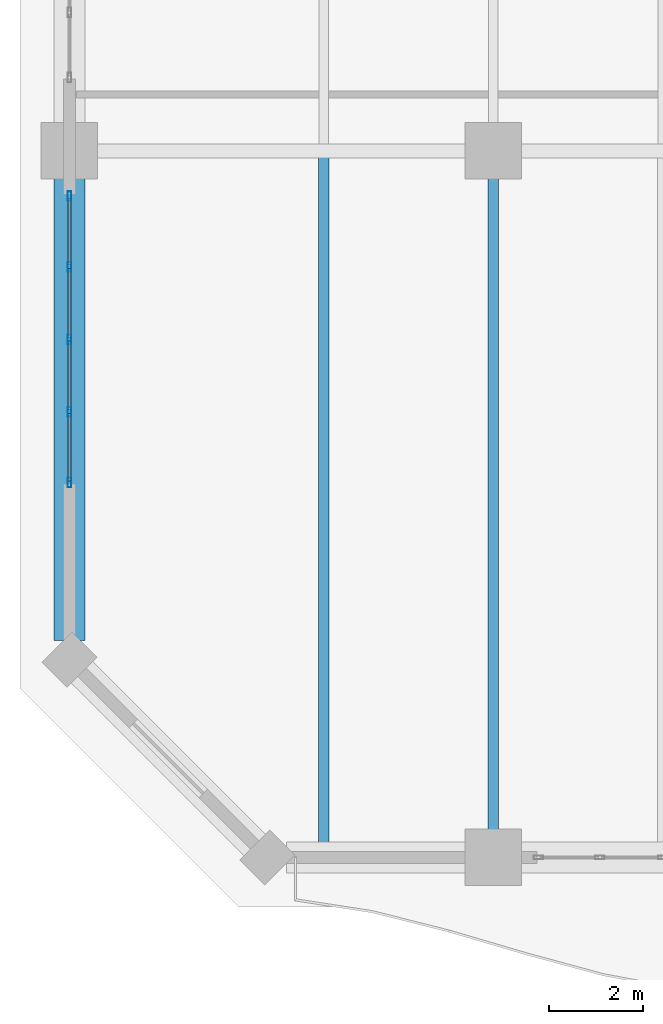
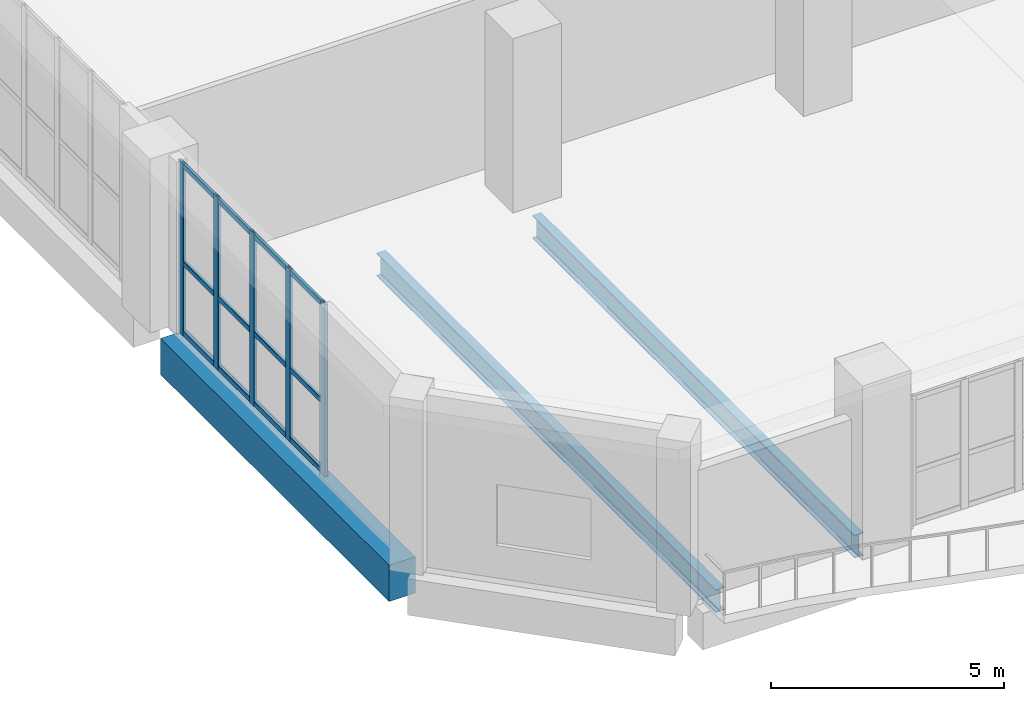
# One storey, part 3 of 37: 17 members, 3 beams, 1 element without a shape of its own.
"""IFC4 building model written with IfcOpenShell, lengths in metres."""

from ifc_helpers import new_model, si_unit, direction, frame, origin, origin_2d, place, context, subcontext, project, spatial, rectangle, hollow_rectangle, i_section, extrude, material, layer, layer_set, material_profile, profile_set, type_object, element, aggregate, save


model = new_model("IFC4")

# Units and contexts
model_context = context("Model", 3, precision=1e-05, world=origin(), true_north=direction((0.0, 1.0)))
body_context = subcontext(model_context, "Body", "Model", "MODEL_VIEW")
ifc_project = project(units=[si_unit("LENGTHUNIT", "METRE"), si_unit("AREAUNIT", "SQUARE_METRE"), si_unit("VOLUMEUNIT", "CUBIC_METRE"), si_unit("PLANEANGLEUNIT", "RADIAN"), si_unit("MASSUNIT", "GRAM", prefix="KILO")], contexts=[model_context])

# Site, building, storey
site_placement = place(None, origin())
site = spatial("IfcSite", under=ifc_project, at=site_placement, CompositionType="ELEMENT")
building_placement = place(site_placement, origin())
building = spatial("IfcBuilding", under=site, at=building_placement, Name="Kaelvorn Grand Hotel", CompositionType="ELEMENT")
storey_placement = place(building_placement, frame((0.0, 0.0, 130.550048828125)))
storey = spatial("IfcBuildingStorey", under=building, at=storey_placement, Name="L31", CompositionType="ELEMENT", Elevation=130.550048828125)

# Beams
ifc_material_1 = material(Name="Steel S355", Category="steel")
ifc_material_profile_1 = material_profile(ifc_material_1, i_section(OverallWidth=0.219970703125, OverallDepth=0.60009765625, WebThickness=0.011962890625, FlangeThickness=0.01904296875, FilletRadius=0.02392578125, at=origin_2d()), Name="IPE 600")
ifc_profile_set_1 = profile_set([ifc_material_profile_1], Name="Steel S355")
beam_type_1 = type_object("IfcBeamType", Name="BM-J-IPE600-S355", PredefinedType="JOIST", material=ifc_profile_set_1)
beam_1_placement = place(storey_placement, frame((5.39990234375, 0.31005859375, -0.5400390625), z_axis=(0.0, 1.0, 0.0), x_axis=(-1.0, 0.0, 0.0)))
element("IfcBeam", 1, at=beam_1_placement, inside=storey, type_object=beam_type_1, Name="L31 Composite Floor Joist JS-02", PredefinedType="JOIST", context=body_context, shape_type="SweptSolid", body=[
    extrude(i_section(OverallWidth=0.219970703125, OverallDepth=0.60009765625, WebThickness=0.011962890625, FlangeThickness=0.01904296875, FilletRadius=0.02392578125, at=origin_2d()), origin(), (0.0, 0.0, 1.0), 14.558837890625),
])
beam_2_placement = place(storey_placement, frame((9.0, 0.5849609375, -0.5400390625), z_axis=(0.0, 1.0, 0.0), x_axis=(-1.0, 0.0, 0.0)))
element("IfcBeam", 2, at=beam_2_placement, inside=storey, type_object=beam_type_1, Name="L31 Composite Floor Joist JS-03", PredefinedType="JOIST", context=body_context, shape_type="SweptSolid", body=[
    extrude(i_section(OverallWidth=0.219970703125, OverallDepth=0.60009765625, WebThickness=0.011962890625, FlangeThickness=0.01904296875, FilletRadius=0.02392578125, at=origin_2d()), origin(), (0.0, 0.0, 1.0), 13.830078125),
])
ifc_material_2 = material(Name="Concrete C60/75", Category="concrete")
ifc_material_profile_2 = material_profile(ifc_material_2, rectangle(XDim=0.64990234375, YDim=0.949951171875, at=origin_2d()), Name="RC SPANDREL 650x950")
ifc_profile_set_2 = profile_set([ifc_material_profile_2], Name="Concrete C60/75")
beam_type_2 = type_object("IfcBeamType", Name="BM-SP-650x950-C60", PredefinedType="SPANDREL", material=ifc_profile_set_2)
beam_3_placement = place(storey_placement, frame((0.0, 4.60498046875, -0.715087890625), z_axis=(0.0, 1.0, 0.0), x_axis=(-1.0, 0.0, 0.0)))
element("IfcBeam", 3, at=beam_3_placement, inside=storey, type_object=beam_type_2, Name="L31 West Perimeter Spandrel 01", PredefinedType="SPANDREL", context=body_context, shape_type="SweptSolid", body=[
    extrude(rectangle(XDim=0.64990234375, YDim=0.949951171875, at=origin_2d()), origin(), (0.0, 0.0, 1.0), 9.81005859375),
])

# Curtain wall, members
ifc_material_3 = material(Name="Anodised Aluminium", Category="aluminium")
ifc_layer = layer(ifc_material_3, 0.199951171875)
ifc_layer_set = layer_set([ifc_layer], Name="Anodised Aluminium")
curtain_wall_type = type_object("IfcCurtainWallType", Name="CW-SYS3", PredefinedType="NOTDEFINED", material=ifc_layer_set)
curtain_wall_placement = place(storey_placement, origin())
curtain_wall = element("IfcCurtainWall", 4, at=curtain_wall_placement, inside=storey, type_object=curtain_wall_type, Name="L31 Unitised Curtain Wall CW3 (CW-L31-W-01)", PredefinedType="NOTDEFINED")
ifc_material_profile_3 = material_profile(ifc_material_3, hollow_rectangle(XDim=0.074951171875, YDim=0.199951171875, WallThickness=0.00390625, InnerFilletRadius=0.00390625, OuterFilletRadius=0.008056640625, at=origin_2d()), Name="ALU MULL 75x200")
ifc_profile_set_3 = profile_set([ifc_material_profile_3], Name="Anodised Aluminium")
member_type_1 = type_object("IfcMemberType", Name="CW-SYS3-MULL", PredefinedType="MULLION", material=ifc_profile_set_3)
member_1_placement = place(storey_placement, frame((0.0, 14.04248046875, 0.0), z_axis=(0.0, 0.0, 1.0), x_axis=(1.0, 0.0, 0.0)))
member_1 = element("IfcMember", 5, at=member_1_placement, type_object=member_type_1, Name="CW3 mullion 1", PredefinedType="MULLION", context=body_context, shape_type="SweptSolid", body=[
    extrude(hollow_rectangle(XDim=0.074951171875, YDim=0.199951171875, WallThickness=0.00390625, InnerFilletRadius=0.00390625, OuterFilletRadius=0.008056640625, at=origin_2d()), origin(), (0.0, 0.0, 1.0), 4.52001953125),
])
member_2_placement = place(storey_placement, frame((0.0, 12.5400390625, 0.0), z_axis=(0.0, 0.0, 1.0), x_axis=(1.0, 0.0, 0.0)))
member_2 = element("IfcMember", 6, at=member_2_placement, type_object=member_type_1, Name="CW3 mullion 2", PredefinedType="MULLION", context=body_context, shape_type="SweptSolid", body=[
    extrude(hollow_rectangle(XDim=0.074951171875, YDim=0.199951171875, WallThickness=0.00390625, InnerFilletRadius=0.00390625, OuterFilletRadius=0.008056640625, at=origin_2d()), origin(), (0.0, 0.0, 1.0), 4.52001953125),
])
member_3_placement = place(storey_placement, frame((0.0, 11.0, 0.0), z_axis=(0.0, 0.0, 1.0), x_axis=(1.0, 0.0, 0.0)))
member_3 = element("IfcMember", 7, at=member_3_placement, type_object=member_type_1, Name="CW3 mullion 3", PredefinedType="MULLION", context=body_context, shape_type="SweptSolid", body=[
    extrude(hollow_rectangle(XDim=0.074951171875, YDim=0.199951171875, WallThickness=0.00390625, InnerFilletRadius=0.00390625, OuterFilletRadius=0.008056640625, at=origin_2d()), origin(), (0.0, 0.0, 1.0), 4.52001953125),
])
member_4_placement = place(storey_placement, frame((0.0, 9.4599609375, 0.0), z_axis=(0.0, 0.0, 1.0), x_axis=(1.0, 0.0, 0.0)))
member_4 = element("IfcMember", 8, at=member_4_placement, type_object=member_type_1, Name="CW3 mullion 4", PredefinedType="MULLION", context=body_context, shape_type="SweptSolid", body=[
    extrude(hollow_rectangle(XDim=0.074951171875, YDim=0.199951171875, WallThickness=0.00390625, InnerFilletRadius=0.00390625, OuterFilletRadius=0.008056640625, at=origin_2d()), origin(), (0.0, 0.0, 1.0), 4.52001953125),
])
member_5_placement = place(storey_placement, frame((0.0, 7.95751953125, 0.0), z_axis=(0.0, 0.0, 1.0), x_axis=(1.0, 0.0, 0.0)))
member_5 = element("IfcMember", 9, at=member_5_placement, type_object=member_type_1, Name="CW3 mullion 5", PredefinedType="MULLION", context=body_context, shape_type="SweptSolid", body=[
    extrude(hollow_rectangle(XDim=0.074951171875, YDim=0.199951171875, WallThickness=0.00390625, InnerFilletRadius=0.00390625, OuterFilletRadius=0.008056640625, at=origin_2d()), origin(), (0.0, 0.0, 1.0), 4.52001953125),
])
ifc_material_profile_4 = material_profile(ifc_material_3, hollow_rectangle(XDim=0.070068359375, YDim=0.135009765625, WallThickness=0.00341796875, InnerFilletRadius=0.00341796875, OuterFilletRadius=0.007080078125, at=origin_2d()), Name="ALU TRAN 70x135")
ifc_profile_set_4 = profile_set([ifc_material_profile_4], Name="Anodised Aluminium")
member_type_2 = type_object("IfcMemberType", Name="CW-SYS3-TRAN", PredefinedType="NOTDEFINED", material=ifc_profile_set_4)
member_6_placement = place(storey_placement, frame((0.0, 14.0048828125, 0.0673828125), z_axis=(0.0, -1.0, 0.0), x_axis=(1.0, 0.0, 0.0)))
member_6 = element("IfcMember", 10, at=member_6_placement, type_object=member_type_2, Name="CW3 transom 1.1", ObjectType="TRANSOM", PredefinedType="USERDEFINED", context=body_context, shape_type="SweptSolid", body=[
    extrude(hollow_rectangle(XDim=0.070068359375, YDim=0.135009765625, WallThickness=0.00341796875, InnerFilletRadius=0.00341796875, OuterFilletRadius=0.007080078125, at=origin_2d()), origin(), (0.0, 0.0, 1.0), 1.427490234375),
])
member_7_placement = place(storey_placement, frame((0.0, 14.0048828125, 1.8984375), z_axis=(0.0, -1.0, 0.0), x_axis=(1.0, 0.0, 0.0)))
member_7 = element("IfcMember", 11, at=member_7_placement, type_object=member_type_2, Name="CW3 transom 1.2", ObjectType="TRANSOM", PredefinedType="USERDEFINED", context=body_context, shape_type="SweptSolid", body=[
    extrude(hollow_rectangle(XDim=0.070068359375, YDim=0.135009765625, WallThickness=0.00341796875, InnerFilletRadius=0.00341796875, OuterFilletRadius=0.007080078125, at=origin_2d()), origin(), (0.0, 0.0, 1.0), 1.427490234375),
])
member_8_placement = place(storey_placement, frame((0.0, 14.0048828125, 4.452392578125), z_axis=(0.0, -1.0, 0.0), x_axis=(1.0, 0.0, 0.0)))
member_8 = element("IfcMember", 12, at=member_8_placement, type_object=member_type_2, Name="CW3 transom 1.3", ObjectType="TRANSOM", PredefinedType="USERDEFINED", context=body_context, shape_type="SweptSolid", body=[
    extrude(hollow_rectangle(XDim=0.070068359375, YDim=0.135009765625, WallThickness=0.00341796875, InnerFilletRadius=0.00341796875, OuterFilletRadius=0.007080078125, at=origin_2d()), origin(), (0.0, 0.0, 1.0), 1.427490234375),
])
member_9_placement = place(storey_placement, frame((0.0, 12.50244140625, 0.0673828125), z_axis=(0.0, -1.0, 0.0), x_axis=(1.0, 0.0, 0.0)))
member_9 = element("IfcMember", 13, at=member_9_placement, type_object=member_type_2, Name="CW3 transom 2.1", ObjectType="TRANSOM", PredefinedType="USERDEFINED", context=body_context, shape_type="SweptSolid", body=[
    extrude(hollow_rectangle(XDim=0.070068359375, YDim=0.135009765625, WallThickness=0.00341796875, InnerFilletRadius=0.00341796875, OuterFilletRadius=0.007080078125, at=origin_2d()), origin(), (0.0, 0.0, 1.0), 1.46484375),
])
member_10_placement = place(storey_placement, frame((0.0, 12.50244140625, 1.8984375), z_axis=(0.0, -1.0, 0.0), x_axis=(1.0, 0.0, 0.0)))
member_10 = element("IfcMember", 14, at=member_10_placement, type_object=member_type_2, Name="CW3 transom 2.2", ObjectType="TRANSOM", PredefinedType="USERDEFINED", context=body_context, shape_type="SweptSolid", body=[
    extrude(hollow_rectangle(XDim=0.070068359375, YDim=0.135009765625, WallThickness=0.00341796875, InnerFilletRadius=0.00341796875, OuterFilletRadius=0.007080078125, at=origin_2d()), origin(), (0.0, 0.0, 1.0), 1.46484375),
])
member_11_placement = place(storey_placement, frame((0.0, 12.50244140625, 4.452392578125), z_axis=(0.0, -1.0, 0.0), x_axis=(1.0, 0.0, 0.0)))
member_11 = element("IfcMember", 15, at=member_11_placement, type_object=member_type_2, Name="CW3 transom 2.3", ObjectType="TRANSOM", PredefinedType="USERDEFINED", context=body_context, shape_type="SweptSolid", body=[
    extrude(hollow_rectangle(XDim=0.070068359375, YDim=0.135009765625, WallThickness=0.00341796875, InnerFilletRadius=0.00341796875, OuterFilletRadius=0.007080078125, at=origin_2d()), origin(), (0.0, 0.0, 1.0), 1.46484375),
])
member_12_placement = place(storey_placement, frame((0.0, 10.96240234375, 0.0673828125), z_axis=(0.0, -1.0, 0.0), x_axis=(1.0, 0.0, 0.0)))
member_12 = element("IfcMember", 16, at=member_12_placement, type_object=member_type_2, Name="CW3 transom 3.1", ObjectType="TRANSOM", PredefinedType="USERDEFINED", context=body_context, shape_type="SweptSolid", body=[
    extrude(hollow_rectangle(XDim=0.070068359375, YDim=0.135009765625, WallThickness=0.00341796875, InnerFilletRadius=0.00341796875, OuterFilletRadius=0.007080078125, at=origin_2d()), origin(), (0.0, 0.0, 1.0), 1.46484375),
])
member_13_placement = place(storey_placement, frame((0.0, 10.96240234375, 1.8984375), z_axis=(0.0, -1.0, 0.0), x_axis=(1.0, 0.0, 0.0)))
member_13 = element("IfcMember", 17, at=member_13_placement, type_object=member_type_2, Name="CW3 transom 3.2", ObjectType="TRANSOM", PredefinedType="USERDEFINED", context=body_context, shape_type="SweptSolid", body=[
    extrude(hollow_rectangle(XDim=0.070068359375, YDim=0.135009765625, WallThickness=0.00341796875, InnerFilletRadius=0.00341796875, OuterFilletRadius=0.007080078125, at=origin_2d()), origin(), (0.0, 0.0, 1.0), 1.46484375),
])
member_14_placement = place(storey_placement, frame((0.0, 10.96240234375, 4.452392578125), z_axis=(0.0, -1.0, 0.0), x_axis=(1.0, 0.0, 0.0)))
member_14 = element("IfcMember", 18, at=member_14_placement, type_object=member_type_2, Name="CW3 transom 3.3", ObjectType="TRANSOM", PredefinedType="USERDEFINED", context=body_context, shape_type="SweptSolid", body=[
    extrude(hollow_rectangle(XDim=0.070068359375, YDim=0.135009765625, WallThickness=0.00341796875, InnerFilletRadius=0.00341796875, OuterFilletRadius=0.007080078125, at=origin_2d()), origin(), (0.0, 0.0, 1.0), 1.46484375),
])
member_15_placement = place(storey_placement, frame((0.0, 9.422607421875, 0.0673828125), z_axis=(0.0, -1.0, 0.0), x_axis=(1.0, 0.0, 0.0)))
member_15 = element("IfcMember", 19, at=member_15_placement, type_object=member_type_2, Name="CW3 transom 4.1", ObjectType="TRANSOM", PredefinedType="USERDEFINED", context=body_context, shape_type="SweptSolid", body=[
    extrude(hollow_rectangle(XDim=0.070068359375, YDim=0.135009765625, WallThickness=0.00341796875, InnerFilletRadius=0.00341796875, OuterFilletRadius=0.007080078125, at=origin_2d()), origin(), (0.0, 0.0, 1.0), 1.427490234375),
])
member_16_placement = place(storey_placement, frame((0.0, 9.422607421875, 1.8984375), z_axis=(0.0, -1.0, 0.0), x_axis=(1.0, 0.0, 0.0)))
member_16 = element("IfcMember", 20, at=member_16_placement, type_object=member_type_2, Name="CW3 transom 4.2", ObjectType="TRANSOM", PredefinedType="USERDEFINED", context=body_context, shape_type="SweptSolid", body=[
    extrude(hollow_rectangle(XDim=0.070068359375, YDim=0.135009765625, WallThickness=0.00341796875, InnerFilletRadius=0.00341796875, OuterFilletRadius=0.007080078125, at=origin_2d()), origin(), (0.0, 0.0, 1.0), 1.427490234375),
])
member_17_placement = place(storey_placement, frame((0.0, 9.422607421875, 4.452392578125), z_axis=(0.0, -1.0, 0.0), x_axis=(1.0, 0.0, 0.0)))
member_17 = element("IfcMember", 21, at=member_17_placement, type_object=member_type_2, Name="CW3 transom 4.3", ObjectType="TRANSOM", PredefinedType="USERDEFINED", context=body_context, shape_type="SweptSolid", body=[
    extrude(hollow_rectangle(XDim=0.070068359375, YDim=0.135009765625, WallThickness=0.00341796875, InnerFilletRadius=0.00341796875, OuterFilletRadius=0.007080078125, at=origin_2d()), origin(), (0.0, 0.0, 1.0), 1.427490234375),
])
aggregate(curtain_wall, [member_1, member_2, member_3, member_4, member_5, member_6, member_7, member_8, member_9, member_10, member_11, member_12, member_13, member_14, member_15, member_16, member_17])

save(model, "model.ifc")
